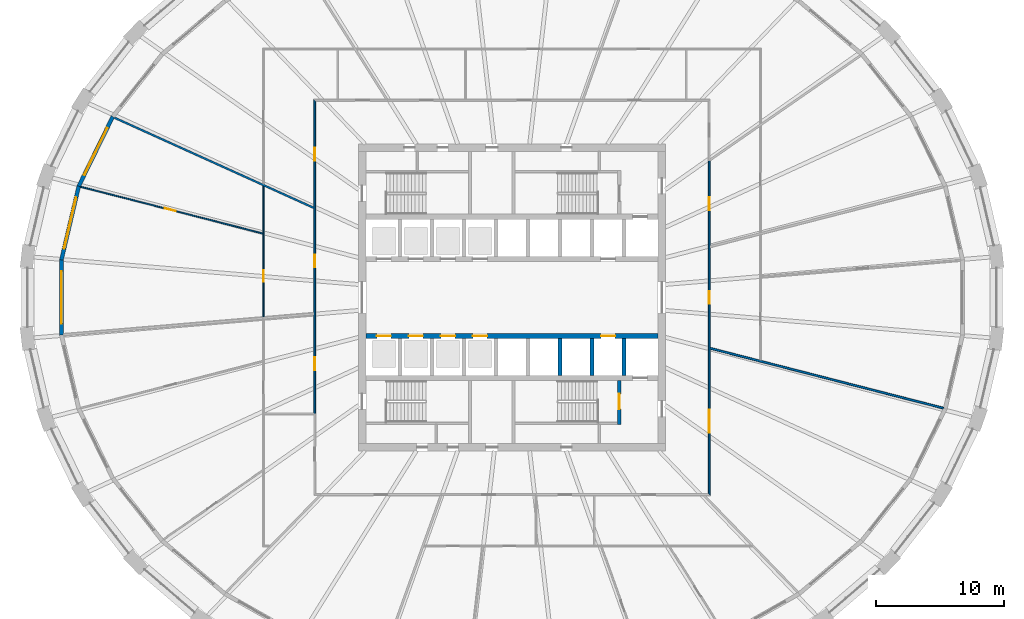
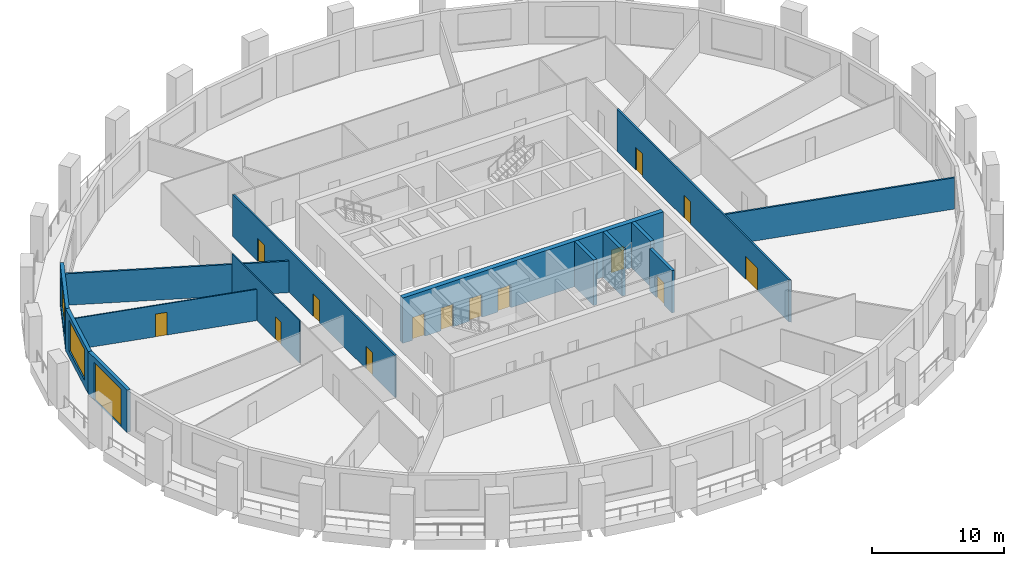
# One storey, part 5 of 12: 15 doors, 14 walls, 2 windows, 17 openings.
"""IFC4 building model written with IfcOpenShell, lengths in metres."""

from ifc_helpers import new_model, si_unit, direction, frame, frame_2d, origin, place, context, subcontext, project, spatial, polyline, rectangle, outline, extrude, material, layer, layer_set, type_object, element, fill, save


model = new_model("IFC4")

# Units and contexts
model_context = context("Model", 3, precision=1e-05, world=origin(), true_north=direction((0.0, 1.0)))
body_context = subcontext(model_context, "Body", "Model", "MODEL_VIEW")
ifc_project = project(units=[si_unit("LENGTHUNIT", "METRE"), si_unit("AREAUNIT", "SQUARE_METRE"), si_unit("VOLUMEUNIT", "CUBIC_METRE"), si_unit("PLANEANGLEUNIT", "RADIAN"), si_unit("MASSUNIT", "GRAM", prefix="KILO")], contexts=[model_context])

# Site, building, storey
site_placement = place(None, origin())
site = spatial("IfcSite", under=ifc_project, at=site_placement, CompositionType="ELEMENT")
building_placement = place(site_placement, origin())
building = spatial("IfcBuilding", under=site, at=building_placement, Name="Halqa Exchange Tower", CompositionType="ELEMENT")
storey_placement = place(building_placement, frame((0.0, 0.0, 27.699951171875)))
storey = spatial("IfcBuildingStorey", under=building, at=storey_placement, Name="L05", CompositionType="ELEMENT", Elevation=27.699951171875)

# Wall
ifc_material_1 = material(Name="Fire-rated gypsum board")
ifc_layer_1 = layer(ifc_material_1, 0.14990234375)
ifc_layer_set_1 = layer_set([ifc_layer_1], Name="Fire-rated gypsum board")
wall_type_1 = type_object("IfcWallType", Name="Fire partition EI 60 150", PredefinedType="PARTITIONING", material=ifc_layer_set_1)
wall_1_placement = place(storey_placement, frame((-31.04541015625, 14.035888671875, 0.0), z_axis=(0.0, 0.0, 1.0), x_axis=(0.911148076593, -0.412079097407, 0.0)))
element("IfcWall", 1, at=wall_1_placement, inside=storey, type_object=wall_type_1, Name="L05-PWL-001", PredefinedType="PARTITIONING", context=body_context, shape_type="SweptSolid", body=[
    extrude(outline(polyline([(0.0, -0.074951171875), (1.83837890625, -0.074951171875), (3.676513671875, -0.074951171875), (5.514892578125, -0.074951171875), (7.35302734375, -0.074951171875), (9.19140625, -0.074951171875), (11.029541015625, -0.074951171875), (12.867919921875, -0.074951171875), (12.869384765625, -0.07421875), (12.869873046875, -0.074951171875), (14.287353515625, -0.074951171875), (15.705078125, -0.074951171875), (17.12255859375, -0.074951171875), (17.106201171875, -0.038330078125), (17.106201171875, -0.038330078125), (17.054931640625, 0.074951171875), (15.601806640625, 0.074951171875), (14.14892578125, 0.074951171875), (12.69580078125, 0.074951171875), (12.69287109375, 0.07373046875), (12.692138671875, 0.074951171875), (10.882080078125, 0.074951171875), (9.072021484375, 0.074951171875), (7.26171875, 0.074951171875), (5.45166015625, 0.074951171875), (3.6416015625, 0.074951171875), (1.831298828125, 0.074951171875), (0.021240234375, 0.074951171875), (0.00244140625, -0.0009765625), (0.0, -0.074951171875)])), origin(), (0.0, 0.0, 1.0), 2.91015625),
])

# Wall, openings, doors
wall_2_placement = place(storey_placement, frame((-15.39990234375, -9.090087890625, 0.0), z_axis=(0.0, 0.0, 1.0), x_axis=(0.0, 1.0, 0.0)))
wall_2 = element("IfcWall", 2, at=wall_2_placement, inside=storey, type_object=wall_type_1, Name="L05-PWL-015", PredefinedType="PARTITIONING", context=body_context, shape_type="SweptSolid", body=[
    extrude(outline(polyline([(0.0, -0.074951171875), (1.878173828125, -0.074951171875), (3.756103515625, -0.074951171875), (5.63427734375, -0.074951171875), (7.51220703125, -0.074951171875), (9.390380859375, -0.074951171875), (11.2685546875, -0.074951171875), (13.146484375, -0.074951171875), (15.024658203125, -0.074951171875), (16.90283203125, -0.074951171875), (18.78076171875, -0.074951171875), (20.658935546875, -0.074951171875), (22.536865234375, -0.074951171875), (24.4150390625, -0.074951171875), (24.56494140625, 0.074951171875), (22.67529296875, 0.074951171875), (20.78564453125, 0.074951171875), (18.89599609375, 0.074951171875), (17.006591796875, 0.074951171875), (15.116943359375, 0.074951171875), (13.227294921875, 0.074951171875), (11.337646484375, 0.074951171875), (9.447998046875, 0.074951171875), (7.558349609375, 0.074951171875), (5.6689453125, 0.074951171875), (3.779296875, 0.074951171875), (1.8896484375, 0.074951171875), (0.0, 0.074951171875), (0.0, -0.074951171875)])), origin(), (0.0, 0.0, 1.0), 3.900146484375),
])
opening_1_placement = place(wall_2_placement, frame((19.77001953125, 0.0, 0.0)))
opening_1 = element("IfcOpeningElement", 3, at=opening_1_placement, cuts=wall_2, Name="Opening 01-08", PredefinedType="OPENING", context=body_context, shape_type="SweptSolid", body=[
    extrude(rectangle(XDim=1.0, YDim=2.10009765625, at=frame_2d((0.5, 1.050048828125))), frame((0.0, 0.0869140625, 0.0), z_axis=(0.0, -1.0, 0.0), x_axis=(1.0, 0.0, 0.0)), (0.0, 0.0, 1.0), 0.173828125),
])
opening_2_placement = place(wall_2_placement, frame((11.429931640625, 0.0, 0.0)))
opening_2 = element("IfcOpeningElement", 4, at=opening_2_placement, cuts=wall_2, Name="Opening 01-10", PredefinedType="OPENING", context=body_context, shape_type="SweptSolid", body=[
    extrude(rectangle(XDim=1.0, YDim=2.10009765625, at=frame_2d((0.5, 1.050048828125))), frame((0.0, 0.0869140625, 0.0), z_axis=(0.0, -1.0, 0.0), x_axis=(1.0, 0.0, 0.0)), (0.0, 0.0, 1.0), 0.173828125),
])
opening_3_placement = place(wall_2_placement, frame((3.405029296875, 0.0, 0.0)))
opening_3 = element("IfcOpeningElement", 5, at=opening_3_placement, cuts=wall_2, Name="Opening 01-12", PredefinedType="OPENING", context=body_context, shape_type="SweptSolid", body=[
    extrude(rectangle(XDim=1.0, YDim=2.10009765625, at=frame_2d((0.5, 1.050048828125))), frame((0.0, 0.0869140625, 0.0), z_axis=(0.0, -1.0, 0.0), x_axis=(1.0, 0.0, 0.0)), (0.0, 0.0, 1.0), 0.173828125),
])
ifc_material_2 = material(Name="Steel fire door leaf", Category="steel")
door_type_1 = type_object("IfcDoorType", Name="Fire door FD30S 1000 x 2100", OperationType="SINGLE_SWING_LEFT", PredefinedType="DOOR", material=ifc_material_2)
door_1_placement = place(opening_1_placement, origin())
door_1 = element("IfcDoor", 6, at=door_1_placement, inside=storey, type_object=door_type_1, Name="L05-IDR-008", OperationType="SINGLE_SWING_RIGHT", OverallHeight=2.10009765625, OverallWidth=1.0, PredefinedType="DOOR", context=body_context, shape_type="SweptSolid", body=[
    extrude(rectangle(XDim=1.0, YDim=2.10009765625, at=frame_2d((0.5, 1.050048828125))), frame((0.0, 0.02490234375, 0.0), z_axis=(0.0, -1.0, 0.0), x_axis=(1.0, 0.0, 0.0)), (0.0, 0.0, 1.0), 0.050048828125),
])
fill(opening_1, door_1)
door_2_placement = place(opening_2_placement, origin())
door_2 = element("IfcDoor", 7, at=door_2_placement, inside=storey, type_object=door_type_1, Name="L05-IDR-010", OperationType="SINGLE_SWING_RIGHT", OverallHeight=2.10009765625, OverallWidth=1.0, PredefinedType="DOOR", context=body_context, shape_type="SweptSolid", body=[
    extrude(rectangle(XDim=1.0, YDim=2.10009765625, at=frame_2d((0.5, 1.050048828125))), frame((0.0, 0.02490234375, 0.0), z_axis=(0.0, -1.0, 0.0), x_axis=(1.0, 0.0, 0.0)), (0.0, 0.0, 1.0), 0.050048828125),
])
fill(opening_2, door_2)
door_3_placement = place(opening_3_placement, origin())
door_3 = element("IfcDoor", 8, at=door_3_placement, inside=storey, type_object=door_type_1, Name="L05-IDR-012", OperationType="SINGLE_SWING_RIGHT", OverallHeight=2.10009765625, OverallWidth=1.0, PredefinedType="DOOR", context=body_context, shape_type="SweptSolid", body=[
    extrude(rectangle(XDim=1.0, YDim=2.10009765625, at=frame_2d((0.5, 1.050048828125))), frame((0.0, 0.02490234375, 0.0), z_axis=(0.0, -1.0, 0.0), x_axis=(1.0, 0.0, 0.0)), (0.0, 0.0, 1.0), 0.050048828125),
])
fill(opening_3, door_3)

wall_3_placement = place(storey_placement, frame((15.39990234375, -15.47509765625, 0.0), z_axis=(0.0, 0.0, 1.0), x_axis=(0.0, 1.0, 0.0)))
wall_3 = element("IfcWall", 9, at=wall_3_placement, inside=storey, type_object=wall_type_1, Name="L05-PWL-039", PredefinedType="PARTITIONING", context=body_context, shape_type="SweptSolid", body=[
    extrude(outline(polyline([(26.1650390625, 0.074951171875), (24.306884765625, 0.074951171875), (22.44873046875, 0.074951171875), (20.59033203125, 0.074951171875), (18.732177734375, 0.074951171875), (16.8740234375, 0.074951171875), (15.015869140625, 0.074951171875), (13.15771484375, 0.074951171875), (11.29931640625, 0.074951171875), (9.441162109375, 0.074951171875), (7.5830078125, 0.074951171875), (5.724853515625, 0.074951171875), (3.866455078125, 0.074951171875), (2.00830078125, 0.074951171875), (0.150146484375, 0.074951171875), (0.000244140625, -0.074951171875), (1.869140625, -0.074951171875), (3.738037109375, -0.074951171875), (5.60693359375, -0.074951171875), (7.475830078125, -0.074951171875), (9.3447265625, -0.074951171875), (11.213623046875, -0.074951171875), (13.08251953125, -0.074951171875), (14.95166015625, -0.074951171875), (16.820556640625, -0.074951171875), (18.689453125, -0.074951171875), (20.558349609375, -0.074951171875), (22.42724609375, -0.074951171875), (24.296142578125, -0.074951171875), (26.1650390625, -0.074951171875), (26.1650390625, 0.074951171875)])), origin(), (0.0, 0.0, 1.0), 3.900146484375),
])
opening_4_placement = place(wall_3_placement, frame((4.89990234375, 0.0, 0.0)))
opening_4 = element("IfcOpeningElement", 10, at=opening_4_placement, cuts=wall_3, Name="Opening 01-01", PredefinedType="OPENING", context=body_context, shape_type="SweptSolid", body=[
    extrude(rectangle(XDim=1.800048828125, YDim=2.10009765625, at=frame_2d((0.89990234375, 1.050048828125))), frame((0.0, 0.0869140625, 0.0), z_axis=(0.0, -1.0, 0.0), x_axis=(1.0, 0.0, 0.0)), (0.0, 0.0, 1.0), 0.173828125),
])
opening_5_placement = place(wall_3_placement, frame((14.97509765625, 0.0, 0.0)))
opening_5 = element("IfcOpeningElement", 11, at=opening_5_placement, cuts=wall_3, Name="Opening 01-02", PredefinedType="OPENING", context=body_context, shape_type="SweptSolid", body=[
    extrude(rectangle(XDim=1.0, YDim=2.10009765625, at=frame_2d((0.5, 1.050048828125))), frame((0.0, 0.0869140625, 0.0), z_axis=(0.0, -1.0, 0.0), x_axis=(1.0, 0.0, 0.0)), (0.0, 0.0, 1.0), 0.173828125),
])
opening_6_placement = place(wall_3_placement, frame((22.294921875, 0.0, 0.0)))
opening_6 = element("IfcOpeningElement", 12, at=opening_6_placement, cuts=wall_3, Name="Opening 01-03", PredefinedType="OPENING", context=body_context, shape_type="SweptSolid", body=[
    extrude(rectangle(XDim=1.0, YDim=2.10009765625, at=frame_2d((0.5, 1.050048828125))), frame((0.0, 0.0869140625, 0.0), z_axis=(0.0, -1.0, 0.0), x_axis=(1.0, 0.0, 0.0)), (0.0, 0.0, 1.0), 0.173828125),
])
door_4_placement = place(opening_5_placement, frame((1.0, 0.0, 0.0), z_axis=(0.0, 0.0, 1.0), x_axis=(-1.0, 0.0, 0.0)))
door_4 = element("IfcDoor", 13, at=door_4_placement, inside=storey, type_object=door_type_1, Name="L05-IDR-002", OperationType="SINGLE_SWING_RIGHT", OverallHeight=2.10009765625, OverallWidth=1.0, PredefinedType="DOOR", context=body_context, shape_type="SweptSolid", body=[
    extrude(rectangle(XDim=1.0, YDim=2.10009765625, at=frame_2d((0.5, 1.050048828125))), frame((0.0, 0.02490234375, 0.0), z_axis=(0.0, -1.0, 0.0), x_axis=(1.0, 0.0, 0.0)), (0.0, 0.0, 1.0), 0.050048828125),
])
fill(opening_5, door_4)
door_5_placement = place(opening_6_placement, frame((1.0, 0.0, 0.0), z_axis=(0.0, 0.0, 1.0), x_axis=(-1.0, 0.0, 0.0)))
door_5 = element("IfcDoor", 14, at=door_5_placement, inside=storey, type_object=door_type_1, Name="L05-IDR-003", OperationType="SINGLE_SWING_RIGHT", OverallHeight=2.10009765625, OverallWidth=1.0, PredefinedType="DOOR", context=body_context, shape_type="SweptSolid", body=[
    extrude(rectangle(XDim=1.0, YDim=2.10009765625, at=frame_2d((0.5, 1.050048828125))), frame((0.0, 0.02490234375, 0.0), z_axis=(0.0, -1.0, 0.0), x_axis=(1.0, 0.0, 0.0)), (0.0, 0.0, 1.0), 0.050048828125),
])
fill(opening_6, door_5)
door_type_2 = type_object("IfcDoorType", Name="Fire door FD30S double 1800 x 2100", OperationType="DOUBLE_DOOR_SINGLE_SWING", PredefinedType="DOOR", material=ifc_material_2)
door_6_placement = place(opening_4_placement, frame((1.800048828125, 0.0, 0.0), z_axis=(0.0, 0.0, 1.0), x_axis=(-1.0, 0.0, 0.0)))
door_6 = element("IfcDoor", 15, at=door_6_placement, inside=storey, type_object=door_type_2, Name="L05-IDR-001", OperationType="DOUBLE_DOOR_SINGLE_SWING", OverallHeight=2.10009765625, OverallWidth=1.800048828125, PredefinedType="DOOR", context=body_context, shape_type="SweptSolid", body=[
    extrude(rectangle(XDim=1.800048828125, YDim=2.10009765625, at=frame_2d((0.89990234375, 1.050048828125))), frame((0.0, 0.02490234375, 0.0), z_axis=(0.0, -1.0, 0.0), x_axis=(1.0, 0.0, 0.0)), (0.0, 0.0, 1.0), 0.050048828125),
])
fill(opening_4, door_6)

# Wall
wall_4_placement = place(storey_placement, frame((15.456787109375, -3.964599609375, 0.0), z_axis=(0.0, 0.0, 1.0), x_axis=(0.968588981289, -0.248667218036, 0.0)))
element("IfcWall", 16, at=wall_4_placement, inside=storey, type_object=wall_type_1, Name="L05-PWL-040", PredefinedType="PARTITIONING", context=body_context, shape_type="SweptSolid", body=[
    extrude(outline(polyline([(0.0380859375, -0.074951171875), (1.91455078125, -0.074951171875), (3.790771484375, -0.074951171875), (5.667236328125, -0.074951171875), (7.543701171875, -0.074951171875), (9.420166015625, -0.074951171875), (11.296630859375, -0.074951171875), (13.1728515625, -0.074951171875), (15.04931640625, -0.074951171875), (16.92578125, -0.074951171875), (18.80224609375, -0.074951171875), (18.816162109375, -0.007568359375), (18.816162109375, 0.074951171875), (16.964599609375, 0.074951171875), (15.113037109375, 0.074951171875), (13.26123046875, 0.074951171875), (11.40966796875, 0.074951171875), (9.55810546875, 0.074951171875), (7.70654296875, 0.074951171875), (5.85498046875, 0.074951171875), (4.00341796875, 0.074951171875), (4.00048828125, 0.07421875), (4.000244140625, 0.074951171875), (2.666748046875, 0.074951171875), (1.33349609375, 0.074951171875), (0.0, 0.074951171875), (0.0, 0.0732421875), (0.0380859375, -0.074951171875)])), origin(), (0.0, 0.0, 1.0), 2.89208984375),
])

# Wall, opening, door
ifc_material_3 = material(Name="Gypsum board")
ifc_layer_2 = layer(ifc_material_3, 0.10009765625)
ifc_layer_set_2 = layer_set([ifc_layer_2], Name="Gypsum board")
wall_type_2 = type_object("IfcWallType", Name="Partition 100 gypsum", PredefinedType="PARTITIONING", material=ifc_layer_set_2)
wall_5_placement = place(storey_placement, frame((-19.39990234375, -1.53857421875, 0.0), z_axis=(0.0, 0.0, 1.0), x_axis=(0.0, 1.0, 0.0)))
wall_5 = element("IfcWall", 17, at=wall_5_placement, inside=storey, type_object=wall_type_2, Name="L05-PWL-008", PredefinedType="PARTITIONING", context=body_context, shape_type="SweptSolid", body=[
    extrude(outline(polyline([(0.008056640625, -0.050048828125), (1.70703125, -0.050048828125), (3.40625, -0.050048828125), (5.105224609375, -0.050048828125), (6.804443359375, -0.050048828125), (8.50341796875, -0.050048828125), (10.20263671875, -0.050048828125), (10.24755859375, 0.04931640625), (10.24755859375, 0.050048828125), (8.415283203125, 0.050048828125), (6.5830078125, 0.050048828125), (6.58251953125, 0.048095703125), (6.575439453125, 0.050048828125), (4.931640625, 0.050048828125), (3.28759765625, 0.050048828125), (1.643798828125, 0.050048828125), (0.0, 0.050048828125), (0.0, 0.046142578125), (0.008056640625, -0.050048828125)])), origin(), (0.0, 0.0, 1.0), 3.900146484375),
])
opening_7_placement = place(wall_5_placement, frame((2.7734375, 0.0, 0.0)))
opening_7 = element("IfcOpeningElement", 18, at=opening_7_placement, cuts=wall_5, Name="Opening 01-23", PredefinedType="OPENING", context=body_context, shape_type="SweptSolid", body=[
    extrude(rectangle(XDim=0.89990234375, YDim=2.10009765625, at=frame_2d((0.449951171875, 1.050048828125))), frame((0.0, 0.06201171875, 0.0), z_axis=(0.0, -1.0, 0.0), x_axis=(1.0, 0.0, 0.0)), (0.0, 0.0, 1.0), 0.1240234375),
])
ifc_material_4 = material(Name="Timber door leaf", Category="wood")
door_type_3 = type_object("IfcDoorType", Name="Door 900 x 2100", OperationType="SINGLE_SWING_LEFT", PredefinedType="DOOR", material=ifc_material_4)
door_7_placement = place(opening_7_placement, frame((0.89990234375, 0.0, 0.0), z_axis=(0.0, 0.0, 1.0), x_axis=(-1.0, 0.0, 0.0)))
door_7 = element("IfcDoor", 19, at=door_7_placement, inside=storey, type_object=door_type_3, Name="L05-IDR-023", OperationType="SINGLE_SWING_LEFT", OverallHeight=2.10009765625, OverallWidth=0.89990234375, PredefinedType="DOOR", context=body_context, shape_type="SweptSolid", body=[
    extrude(rectangle(XDim=0.89990234375, YDim=2.10009765625, at=frame_2d((0.449951171875, 1.050048828125))), frame((0.0, 0.02490234375, 0.0), z_axis=(0.0, -1.0, 0.0), x_axis=(1.0, 0.0, 0.0)), (0.0, 0.0, 1.0), 0.050048828125),
])
fill(opening_7, door_7)

wall_6_placement = place(storey_placement, frame((-19.437744140625, 4.98974609375, 0.0), z_axis=(0.0, 0.0, 1.0), x_axis=(-0.968638974519, 0.248472407007, 0.0)))
wall_6 = element("IfcWall", 20, at=wall_6_placement, inside=storey, type_object=wall_type_2, Name="L05-PWL-009", PredefinedType="PARTITIONING", context=body_context, shape_type="SweptSolid", body=[
    extrude(outline(polyline([(0.025390625, -0.050048828125), (1.859375, -0.050048828125), (3.693359375, -0.050048828125), (5.527099609375, -0.050048828125), (7.361083984375, -0.050048828125), (9.19482421875, -0.050048828125), (11.02880859375, -0.050048828125), (12.862548828125, -0.050048828125), (14.696533203125, -0.050048828125), (14.7060546875, -0.004150390625), (14.7060546875, 0.050048828125), (12.86767578125, 0.050048828125), (11.029541015625, 0.050048828125), (9.19140625, 0.050048828125), (7.35302734375, 0.050048828125), (5.5146484375, 0.050048828125), (3.676513671875, 0.050048828125), (1.83837890625, 0.050048828125), (0.0, 0.050048828125), (0.0, 0.04931640625), (0.025390625, -0.050048828125)])), origin(), (0.0, 0.0, 1.0), 2.89208984375),
])
opening_8_placement = place(wall_6_placement, frame((7.037109375, 0.0, 0.0)))
opening_8 = element("IfcOpeningElement", 21, at=opening_8_placement, cuts=wall_6, Name="Opening 01-24", PredefinedType="OPENING", context=body_context, shape_type="SweptSolid", body=[
    extrude(rectangle(XDim=0.89990234375, YDim=2.10009765625, at=frame_2d((0.449951171875, 1.050048828125))), frame((0.0, 0.06201171875, 0.0), z_axis=(0.0, -1.0, 0.0), x_axis=(1.0, 0.0, 0.0)), (0.0, 0.0, 1.0), 0.1240234375),
])
door_8_placement = place(opening_8_placement, frame((0.89990234375, 0.0, 0.0), z_axis=(0.0, 0.0, 1.0), x_axis=(-1.0, 0.0, 0.0)))
door_8 = element("IfcDoor", 22, at=door_8_placement, inside=storey, type_object=door_type_3, Name="L05-IDR-024", OperationType="SINGLE_SWING_LEFT", OverallHeight=2.10009765625, OverallWidth=0.89990234375, PredefinedType="DOOR", context=body_context, shape_type="SweptSolid", body=[
    extrude(rectangle(XDim=0.89990234375, YDim=2.10009765625, at=frame_2d((0.449951171875, 1.050048828125))), frame((0.0, 0.02490234375, 0.0), z_axis=(0.0, -1.0, 0.0), x_axis=(1.0, 0.0, 0.0)), (0.0, 0.0, 1.0), 0.050048828125),
])
fill(opening_8, door_8)

# Walls
ifc_material_5 = material(Name="Concrete C60/75", Category="concrete")
ifc_layer_3 = layer(ifc_material_5, 0.300048828125)
ifc_layer_set_3 = layer_set([ifc_layer_3], Name="Concrete C60/75")
wall_type_3 = type_object("IfcWallType", Name="RC core wall 300", PredefinedType="SHEAR", material=ifc_layer_set_3)
for number, where, z_axis, x_axis, name in (
    (23, (3.75, -6.10009765625, 0.0), (0.0, 0.0, 1.0), (0.0, 1.0, 0.0), "Shaft divider S6"),
    (24, (6.25, -6.10009765625, 0.0), (0.0, 0.0, 1.0), (0.0, 1.0, 0.0), "Shaft divider S7"),
    (25, (8.75, -6.10009765625, 0.0), (0.0, 0.0, 1.0), (0.0, 1.0, 0.0), "Shaft divider S8"),
):
    element("IfcWall", number, at=place(storey_placement, frame(where, z_axis=z_axis, x_axis=x_axis)), inside=storey, type_object=wall_type_3, Name=name, PredefinedType="SHEAR", context=body_context, shape_type="SweptSolid", body=[
        extrude(rectangle(XDim=2.900146484375, YDim=0.300048828125, at=frame_2d((1.4501953125, 0.0))), origin(), (0.0, 0.0, 1.0), 4.199951171875),
    ])

# Wall, openings, doors
ifc_material_6 = material(Name="Concrete C80/95", Category="concrete")
ifc_layer_4 = layer(ifc_material_6, 0.39990234375)
ifc_layer_set_4 = layer_set([ifc_layer_4], Name="Concrete C80/95")
wall_type_4 = type_object("IfcWallType", Name="RC core wall 400 C80/95", PredefinedType="SHEAR", material=ifc_layer_set_4)
wall_7_placement = place(storey_placement, frame((-11.39990234375, -3.0, 0.0), z_axis=(0.0, 0.0, 1.0), x_axis=(1.0, 0.0, 0.0)))
wall_7 = element("IfcWall", 26, at=wall_7_placement, inside=storey, type_object=wall_type_4, Name="Lift row front wall S", PredefinedType="SHEAR", context=body_context, shape_type="SweptSolid", body=[
    extrude(rectangle(XDim=22.7998046875, YDim=0.39990234375, at=frame_2d((11.39990234375, 0.0))), origin(), (0.0, 0.0, 1.0), 4.199951171875),
])
opening_9_placement = place(wall_7_placement, frame((0.85009765625, 0.0, 0.0)))
opening_9 = element("IfcOpeningElement", 27, at=opening_9_placement, cuts=wall_7, Name="Opening LD-LR5-T01", PredefinedType="OPENING", context=body_context, shape_type="SweptSolid", body=[
    extrude(rectangle(XDim=1.10009765625, YDim=2.10009765625, at=frame_2d((0.550048828125, 1.050048828125))), frame((0.0, 0.2119140625, 0.0), z_axis=(0.0, -1.0, 0.0), x_axis=(1.0, 0.0, 0.0)), (0.0, 0.0, 1.0), 0.423828125),
])
opening_10_placement = place(wall_7_placement, frame((3.35009765625, 0.0, 0.0)))
opening_10 = element("IfcOpeningElement", 28, at=opening_10_placement, cuts=wall_7, Name="Opening LD-LR6-T01", PredefinedType="OPENING", context=body_context, shape_type="SweptSolid", body=[
    extrude(rectangle(XDim=1.10009765625, YDim=2.10009765625, at=frame_2d((0.550048828125, 1.050048828125))), frame((0.0, 0.2119140625, 0.0), z_axis=(0.0, -1.0, 0.0), x_axis=(1.0, 0.0, 0.0)), (0.0, 0.0, 1.0), 0.423828125),
])
opening_11_placement = place(wall_7_placement, frame((5.85009765625, 0.0, 0.0)))
opening_11 = element("IfcOpeningElement", 29, at=opening_11_placement, cuts=wall_7, Name="Opening LD-LR7-T01", PredefinedType="OPENING", context=body_context, shape_type="SweptSolid", body=[
    extrude(rectangle(XDim=1.10009765625, YDim=2.10009765625, at=frame_2d((0.550048828125, 1.050048828125))), frame((0.0, 0.2119140625, 0.0), z_axis=(0.0, -1.0, 0.0), x_axis=(1.0, 0.0, 0.0)), (0.0, 0.0, 1.0), 0.423828125),
])
opening_12_placement = place(wall_7_placement, frame((8.35009765625, 0.0, 0.0)))
opening_12 = element("IfcOpeningElement", 30, at=opening_12_placement, cuts=wall_7, Name="Opening LD-LR8-T01", PredefinedType="OPENING", context=body_context, shape_type="SweptSolid", body=[
    extrude(rectangle(XDim=1.10009765625, YDim=2.10009765625, at=frame_2d((0.550048828125, 1.050048828125))), frame((0.0, 0.2119140625, 0.0), z_axis=(0.0, -1.0, 0.0), x_axis=(1.0, 0.0, 0.0)), (0.0, 0.0, 1.0), 0.423828125),
])
opening_13_placement = place(wall_7_placement, frame((18.35009765625, 0.0, 0.0)))
opening_13 = element("IfcOpeningElement", 31, at=opening_13_placement, cuts=wall_7, Name="Opening LD-SV2-T01", PredefinedType="OPENING", context=body_context, shape_type="SweptSolid", body=[
    extrude(rectangle(XDim=1.10009765625, YDim=2.10009765625, at=frame_2d((0.550048828125, 1.050048828125))), frame((0.0, 0.2119140625, 0.0), z_axis=(0.0, -1.0, 0.0), x_axis=(1.0, 0.0, 0.0)), (0.0, 0.0, 1.0), 0.423828125),
])
ifc_material_7 = material(Name="Stainless steel", Category="steel")
door_type_4 = type_object("IfcDoorType", Name="Lift landing door 1100 x 2100", OperationType="SLIDING_TO_LEFT", PredefinedType="DOOR", material=ifc_material_7)
door_9_placement = place(opening_9_placement, origin())
door_9 = element("IfcDoor", 32, at=door_9_placement, inside=storey, type_object=door_type_4, Name="Lift landing door LR5", OperationType="SLIDING_TO_LEFT", OverallHeight=2.10009765625, OverallWidth=1.10009765625, PredefinedType="DOOR", context=body_context, shape_type="SweptSolid", body=[
    extrude(rectangle(XDim=1.10009765625, YDim=2.10009765625, at=frame_2d((0.550048828125, 1.050048828125))), frame((0.0, 0.02490234375, 0.0), z_axis=(0.0, -1.0, 0.0), x_axis=(1.0, 0.0, 0.0)), (0.0, 0.0, 1.0), 0.050048828125),
])
fill(opening_9, door_9)
door_10_placement = place(opening_10_placement, origin())
door_10 = element("IfcDoor", 33, at=door_10_placement, inside=storey, type_object=door_type_4, Name="Lift landing door LR6", OperationType="SLIDING_TO_LEFT", OverallHeight=2.10009765625, OverallWidth=1.10009765625, PredefinedType="DOOR", context=body_context, shape_type="SweptSolid", body=[
    extrude(rectangle(XDim=1.10009765625, YDim=2.10009765625, at=frame_2d((0.550048828125, 1.050048828125))), frame((0.0, 0.02490234375, 0.0), z_axis=(0.0, -1.0, 0.0), x_axis=(1.0, 0.0, 0.0)), (0.0, 0.0, 1.0), 0.050048828125),
])
fill(opening_10, door_10)
door_11_placement = place(opening_11_placement, origin())
door_11 = element("IfcDoor", 34, at=door_11_placement, inside=storey, type_object=door_type_4, Name="Lift landing door LR7", OperationType="SLIDING_TO_LEFT", OverallHeight=2.10009765625, OverallWidth=1.10009765625, PredefinedType="DOOR", context=body_context, shape_type="SweptSolid", body=[
    extrude(rectangle(XDim=1.10009765625, YDim=2.10009765625, at=frame_2d((0.550048828125, 1.050048828125))), frame((0.0, 0.02490234375, 0.0), z_axis=(0.0, -1.0, 0.0), x_axis=(1.0, 0.0, 0.0)), (0.0, 0.0, 1.0), 0.050048828125),
])
fill(opening_11, door_11)
door_12_placement = place(opening_12_placement, origin())
door_12 = element("IfcDoor", 35, at=door_12_placement, inside=storey, type_object=door_type_4, Name="Lift landing door LR8", OperationType="SLIDING_TO_LEFT", OverallHeight=2.10009765625, OverallWidth=1.10009765625, PredefinedType="DOOR", context=body_context, shape_type="SweptSolid", body=[
    extrude(rectangle(XDim=1.10009765625, YDim=2.10009765625, at=frame_2d((0.550048828125, 1.050048828125))), frame((0.0, 0.02490234375, 0.0), z_axis=(0.0, -1.0, 0.0), x_axis=(1.0, 0.0, 0.0)), (0.0, 0.0, 1.0), 0.050048828125),
])
fill(opening_12, door_12)
door_13_placement = place(opening_13_placement, origin())
door_13 = element("IfcDoor", 36, at=door_13_placement, inside=storey, type_object=door_type_4, Name="Lift landing door SV2", OperationType="SLIDING_TO_LEFT", OverallHeight=2.10009765625, OverallWidth=1.10009765625, PredefinedType="DOOR", context=body_context, shape_type="SweptSolid", body=[
    extrude(rectangle(XDim=1.10009765625, YDim=2.10009765625, at=frame_2d((0.550048828125, 1.050048828125))), frame((0.0, 0.02490234375, 0.0), z_axis=(0.0, -1.0, 0.0), x_axis=(1.0, 0.0, 0.0)), (0.0, 0.0, 1.0), 0.050048828125),
])
fill(opening_13, door_13)

# Wall, opening, door
ifc_material_8 = material(Name="Concrete C30/37", Category="concrete")
ifc_layer_5 = layer(ifc_material_8, 0.25)
ifc_layer_set_5 = layer_set([ifc_layer_5], Name="Concrete C30/37")
wall_type_5 = type_object("IfcWallType", Name="RC stair wall 250 C30/37", PredefinedType="SHEAR", material=ifc_layer_set_5)
wall_8_placement = place(storey_placement, frame((8.375, -9.89990234375, 0.0), z_axis=(0.0, 0.0, 1.0), x_axis=(0.0, 1.0, 0.0)))
wall_8 = element("IfcWall", 37, at=wall_8_placement, inside=storey, type_object=wall_type_5, Name="Stair ST2 east wall S", PredefinedType="SHEAR", context=body_context, shape_type="SweptSolid", body=[
    extrude(rectangle(XDim=3.39990234375, YDim=0.25, at=frame_2d((1.699951171875, 0.0))), origin(), (0.0, 0.0, 1.0), 3.900146484375),
])
opening_14_placement = place(wall_8_placement, frame((1.175048828125, 0.0, 0.0)))
opening_14 = element("IfcOpeningElement", 38, at=opening_14_placement, cuts=wall_8, Name="Opening T01-C18", PredefinedType="OPENING", context=body_context, shape_type="SweptSolid", body=[
    extrude(rectangle(XDim=1.199951171875, YDim=2.10009765625, at=frame_2d((0.60009765625, 1.050048828125))), frame((0.0, 0.136962890625, 0.0), z_axis=(0.0, -1.0, 0.0), x_axis=(1.0, 0.0, 0.0)), (0.0, 0.0, 1.0), 0.27392578125),
])
door_type_5 = type_object("IfcDoorType", Name="Stair door FD90 1200 x 2100", OperationType="SINGLE_SWING_LEFT", PredefinedType="DOOR", material=ifc_material_2)
door_14_placement = place(opening_14_placement, origin())
door_14 = element("IfcDoor", 39, at=door_14_placement, inside=storey, type_object=door_type_5, Name="Stair door ST4", OperationType="SINGLE_SWING_LEFT", OverallHeight=2.10009765625, OverallWidth=1.199951171875, PredefinedType="DOOR", context=body_context, shape_type="SweptSolid", body=[
    extrude(rectangle(XDim=1.199951171875, YDim=2.10009765625, at=frame_2d((0.60009765625, 1.050048828125))), frame((0.0, 0.02490234375, 0.0), z_axis=(0.0, -1.0, 0.0), x_axis=(1.0, 0.0, 0.0)), (0.0, 0.0, 1.0), 0.050048828125),
])
fill(opening_14, door_14)

# Wall, opening, window
ifc_material_9 = material(Name="Limestone cladding", Category="masonry")
ifc_layer_6 = layer(ifc_material_9, 0.0400390625)
ifc_material_10 = material(Name="Ventilated cavity")
ifc_layer_7 = layer(ifc_material_10, 0.030029296875, ventilated=True)
ifc_material_11 = material(Name="Mineral wool insulation")
ifc_layer_8 = layer(ifc_material_11, 0.10009765625)
ifc_layer_9 = layer(ifc_material_8, 0.10009765625)
ifc_material_12 = material(Name="Internal plaster")
ifc_layer_10 = layer(ifc_material_12, 0.030029296875)
ifc_layer_set_6 = layer_set([ifc_layer_6, ifc_layer_7, ifc_layer_8, ifc_layer_9, ifc_layer_10], Name="Stone-faced insulated wall 300")
wall_type_6 = type_object("IfcWallType", Name="Stone-faced insulated wall 300", PredefinedType="STANDARD", material=ifc_layer_set_6)
wall_9_placement = place(storey_placement, frame((-31.17138671875, 14.114501953125, 0.0), z_axis=(0.0, 0.0, 1.0), x_axis=(-0.439821516427, -0.898085204025, 0.0)))
wall_9 = element("IfcWall", 40, at=wall_9_placement, inside=storey, type_object=wall_type_6, Name="Glass-line wall 14", PredefinedType="STANDARD", context=body_context, shape_type="SweptSolid", body=[
    extrude(outline(polyline([(-0.01611328125, -0.14990234375), (6.053466796875, -0.14990234375), (6.019775390625, 0.14990234375), (0.01611328125, 0.14990234375), (-0.01611328125, -0.14990234375)])), origin(), (0.0, 0.0, 1.0), 3.900146484375),
])
opening_15_placement = place(wall_9_placement, frame((0.968505859375, 0.0, 0.60009765625)))
opening_15 = element("IfcOpeningElement", 41, at=opening_15_placement, cuts=wall_9, Name="Opening W-F1-14", PredefinedType="OPENING", context=body_context, shape_type="SweptSolid", body=[
    extrude(rectangle(XDim=4.10009765625, YDim=2.85009765625, at=frame_2d((2.050048828125, 1.425048828125))), frame((0.0, 0.162109375, 0.0), z_axis=(0.0, -1.0, 0.0), x_axis=(1.0, 0.0, 0.0)), (0.0, 0.0, 1.0), 0.323974609375),
])
ifc_material_13 = material(Name="Clear low-emissivity glass in aluminium frame", Category="aluminium")
window_type = type_object("IfcWindowType", Name="Fixed clear glazed window 4100 x 2850", PartitioningType="TRIPLE_PANEL_VERTICAL", PredefinedType="WINDOW", material=ifc_material_13)
window_1_placement = place(opening_15_placement, origin())
window_1 = element("IfcWindow", 42, at=window_1_placement, inside=storey, type_object=window_type, Name="Window 1", OverallHeight=2.85009765625, OverallWidth=4.10009765625, PartitioningType="TRIPLE_PANEL_VERTICAL", PredefinedType="WINDOW", context=body_context, shape_type="SweptSolid", body=[
    extrude(rectangle(XDim=4.10009765625, YDim=2.85009765625, at=frame_2d((2.050048828125, 1.425048828125))), frame((0.0, 0.030029296875, 0.0), z_axis=(0.0, -1.0, 0.0), x_axis=(1.0, 0.0, 0.0)), (0.0, 0.0, 1.0), 0.06005859375),
])
fill(opening_15, window_1)

wall_10_placement = place(storey_placement, frame((-33.826416015625, 8.693115234375, 0.0), z_axis=(0.0, 0.0, 1.0), x_axis=(-0.228924296831, -0.973444228665, 0.0)))
wall_10 = element("IfcWall", 43, at=wall_10_placement, inside=storey, type_object=wall_type_6, Name="Glass-line wall 15", PredefinedType="STANDARD", context=body_context, shape_type="SweptSolid", body=[
    extrude(outline(polyline([(-0.016845703125, -0.14990234375), (5.931884765625, -0.14990234375), (5.897216796875, 0.14990234375), (0.016845703125, 0.14990234375), (-0.016845703125, -0.14990234375)])), origin(), (0.0, 0.0, 1.0), 3.900146484375),
])
opening_16_placement = place(wall_10_placement, frame((0.9072265625, 0.0, 0.60009765625)))
opening_16 = element("IfcOpeningElement", 44, at=opening_16_placement, cuts=wall_10, Name="Opening W-F1-15", PredefinedType="OPENING", context=body_context, shape_type="SweptSolid", body=[
    extrude(rectangle(XDim=4.10009765625, YDim=2.85009765625, at=frame_2d((2.050048828125, 1.425048828125))), frame((0.0, 0.162109375, 0.0), z_axis=(0.0, -1.0, 0.0), x_axis=(1.0, 0.0, 0.0)), (0.0, 0.0, 1.0), 0.323974609375),
])
window_2_placement = place(opening_16_placement, origin())
window_2 = element("IfcWindow", 45, at=window_2_placement, inside=storey, type_object=window_type, Name="Window 1", OverallHeight=2.85009765625, OverallWidth=4.10009765625, PartitioningType="TRIPLE_PANEL_VERTICAL", PredefinedType="WINDOW", context=body_context, shape_type="SweptSolid", body=[
    extrude(rectangle(XDim=4.10009765625, YDim=2.85009765625, at=frame_2d((2.050048828125, 1.425048828125))), frame((0.0, 0.030029296875, 0.0), z_axis=(0.0, -1.0, 0.0), x_axis=(1.0, 0.0, 0.0)), (0.0, 0.0, 1.0), 0.06005859375),
])
fill(opening_16, window_2)

# Wall, opening, door
wall_11_placement = place(storey_placement, frame((-35.180419921875, 2.935546875, 0.0), z_axis=(0.0, 0.0, 1.0), x_axis=(0.0, -1.0, 0.0)))
wall_11 = element("IfcWall", 46, at=wall_11_placement, inside=storey, type_object=wall_type_6, Name="Glass-line wall 16", PredefinedType="STANDARD", context=body_context, shape_type="SweptSolid", body=[
    extrude(outline(polyline([(-0.017333984375, -0.14990234375), (5.888427734375, -0.14990234375), (5.853759765625, 0.14990234375), (0.017333984375, 0.14990234375), (-0.017333984375, -0.14990234375)])), origin(), (0.0, 0.0, 1.0), 3.900146484375),
])
opening_17_placement = place(wall_11_placement, frame((0.885498046875, 0.0, 0.0)))
opening_17 = element("IfcOpeningElement", 47, at=opening_17_placement, cuts=wall_11, Name="Opening LG-F1-04", PredefinedType="OPENING", context=body_context, shape_type="SweptSolid", body=[
    extrude(rectangle(XDim=4.10009765625, YDim=3.449951171875, at=frame_2d((2.050048828125, 1.72509765625))), frame((0.0, 0.162109375, 0.0), z_axis=(0.0, -1.0, 0.0), x_axis=(1.0, 0.0, 0.0)), (0.0, 0.0, 1.0), 0.323974609375),
])
door_type_6 = type_object("IfcDoorType", Name="Glazed sliding loggia door 4100 x 3450", OperationType="DOUBLE_DOOR_SLIDING", PredefinedType="DOOR", material=ifc_material_13)
door_15_placement = place(opening_17_placement, origin())
door_15 = element("IfcDoor", 48, at=door_15_placement, inside=storey, type_object=door_type_6, Name="Loggia door 4", OperationType="DOUBLE_DOOR_SLIDING", OverallHeight=3.449951171875, OverallWidth=4.10009765625, PredefinedType="DOOR", context=body_context, shape_type="SweptSolid", body=[
    extrude(rectangle(XDim=4.10009765625, YDim=3.449951171875, at=frame_2d((2.050048828125, 1.72509765625))), frame((0.0, 0.02490234375, 0.0), z_axis=(0.0, -1.0, 0.0), x_axis=(1.0, 0.0, 0.0)), (0.0, 0.0, 1.0), 0.050048828125),
])
fill(opening_17, door_15)

save(model, "model.ifc")
